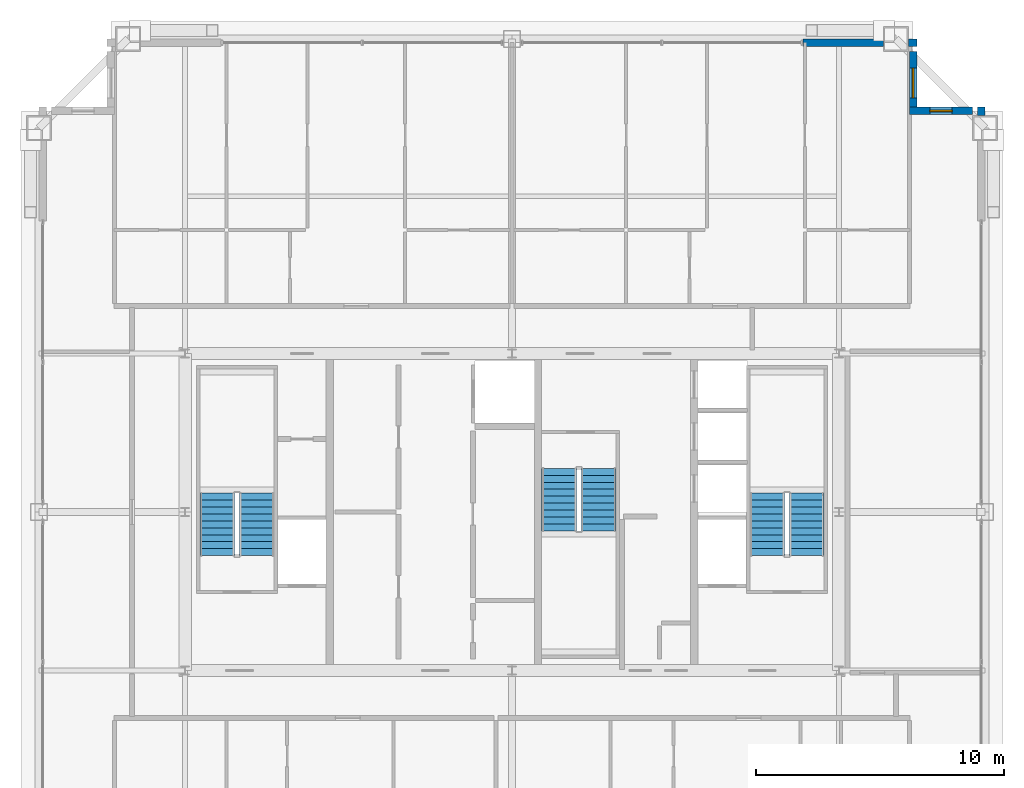
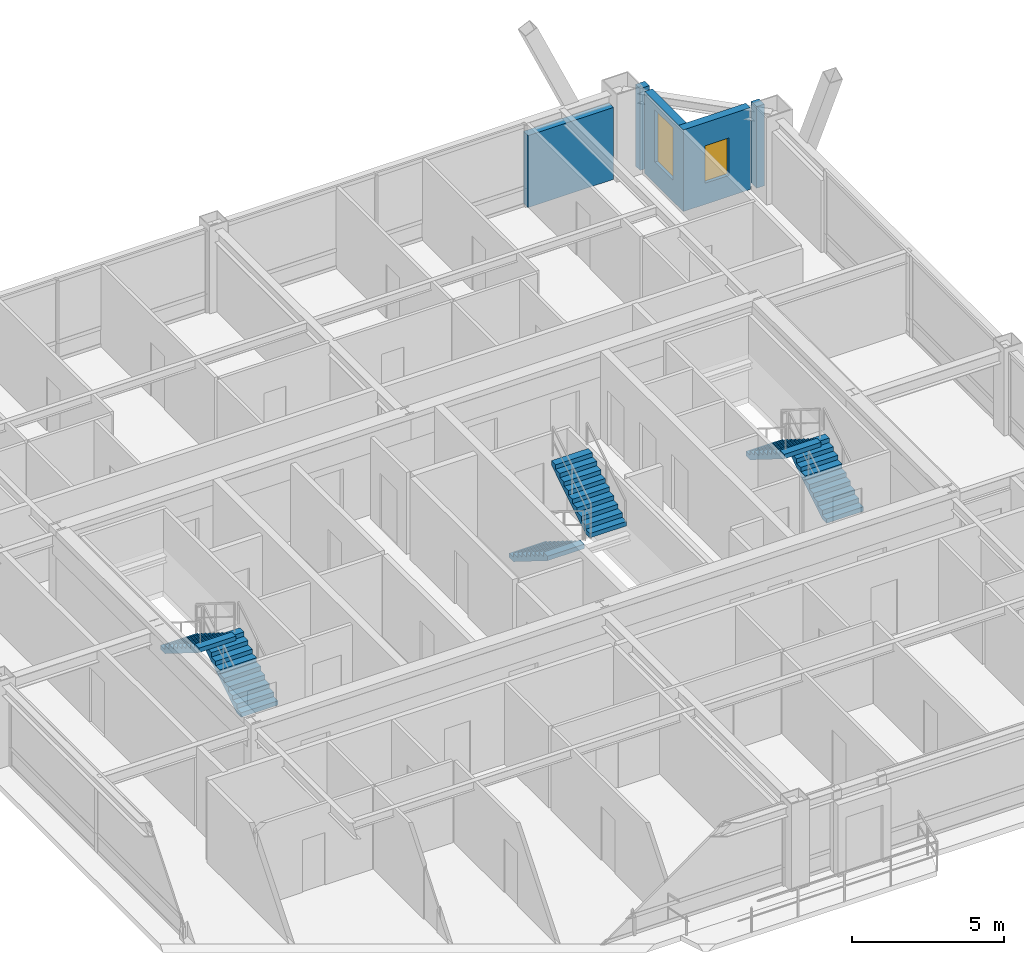
# One storey, part 34 of 35: 6 stair flights, 5 walls, 2 windows, 2 openings, 3 elements without a shape of their own.
"""IFC4 building model written with IfcOpenShell, lengths in metres."""

from ifc_helpers import new_model, si_unit, direction, frame, frame_2d, origin, place, context, subcontext, project, spatial, polyline, rectangle, outline, extrude, source, transform, mapped, material, layer, layer_set, type_object, element, fill, aggregate, save


model = new_model("IFC4")

# Units and contexts
model_context = context("Model", 3, precision=1e-05, world=origin(), true_north=direction((0.0, 1.0)))
body_context = subcontext(model_context, "Body", "Model", "MODEL_VIEW")
ifc_project = project(units=[si_unit("LENGTHUNIT", "METRE"), si_unit("AREAUNIT", "SQUARE_METRE"), si_unit("VOLUMEUNIT", "CUBIC_METRE"), si_unit("PLANEANGLEUNIT", "RADIAN"), si_unit("MASSUNIT", "GRAM", prefix="KILO"), si_unit("THERMODYNAMICTEMPERATUREUNIT", "KELVIN"), si_unit("POWERUNIT", "WATT")], contexts=[model_context])

# Site, building, storey
site_placement = place(None, origin())
site = spatial("IfcSite", under=ifc_project, at=site_placement, CompositionType="ELEMENT")
building_placement = place(site_placement, origin())
building = spatial("IfcBuilding", under=site, at=building_placement, Name="Yuzanri Waterfront Tower", CompositionType="ELEMENT")
storey_placement = place(building_placement, frame((0.0, 0.0, 299.60009765625)))
storey = spatial("IfcBuildingStorey", under=building, at=storey_placement, Name="L80", CompositionType="ELEMENT", Elevation=299.60009765625)

# Wall, opening, window
ifc_material_1 = material(Name="Honed Chongqing Dark Basalt Stone", Category="masonry")
ifc_layer = layer(ifc_material_1, 0.300048828125)
ifc_layer_set = layer_set([ifc_layer], Name="Honed Chongqing Dark Basalt Stone")
wall_type = type_object("IfcWallType", Name="Bronze Rainscreen Insulated Spandrel Portal Wall 300", PredefinedType="SOLIDWALL", material=ifc_layer_set)
wall_1_placement = place(storey_placement, frame((55.60009765625, 42.0, 0.0), z_axis=(0.0, 0.0, 1.0), x_axis=(-1.0, 0.0, 0.0)))
wall_1 = element("IfcWall", 1, at=wall_1_placement, inside=storey, type_object=wall_type, Name="L80 Notched Corner Masonry Wall NE-X", PredefinedType="SOLIDWALL", context=body_context, shape_type="SweptSolid", body=[
    extrude(rectangle(XDim=2.550048828125, YDim=0.300048828125, at=frame_2d((1.27490234375, 0.0))), origin(), (0.0, 0.0, 1.0), 3.27978515625),
])
opening_1_placement = place(wall_1_placement, frame((0.824951171875, 0.0, 0.85009765625)))
opening_1 = element("IfcOpeningElement", 2, at=opening_1_placement, cuts=wall_1, Name="Opening WN-05", PredefinedType="OPENING", context=body_context, shape_type="SweptSolid", body=[
    extrude(rectangle(XDim=0.89990234375, YDim=1.5, at=frame_2d((0.449951171875, 0.75))), frame((0.0, 0.1650390625, 0.0), z_axis=(0.0, -1.0, 0.0), x_axis=(1.0, 0.0, 0.0)), (0.0, 0.0, 1.0), 0.329833984375),
])
ifc_material_2 = material(Name="Double-Silver Low-E Insulated Glass", Category="glass")
window_type_1 = type_object("IfcWindowType", Name="Anodized Bronze Service and Stairwell Smoke-Vent Window 900x1500", PartitioningType="SINGLE_PANEL", PredefinedType="WINDOW", material=ifc_material_2)
shared_shape_1 = source(origin(), body_context, "Body", "SweptSolid", [
    extrude(rectangle(XDim=0.89990234375, YDim=1.5, at=frame_2d((0.449951171875, 0.75))), frame((0.0, 0.030029296875, 0.0), z_axis=(0.0, -1.0, 0.0), x_axis=(1.0, 0.0, 0.0)), (0.0, 0.0, 1.0), 0.06005859375),
])
window_1_placement = place(opening_1_placement, origin())
window_1 = element("IfcWindow", 3, at=window_1_placement, inside=storey, type_object=window_type_1, Name="L80 Notched Corner Window NE-X", OverallHeight=1.5, OverallWidth=0.89990234375, PartitioningType="SINGLE_PANEL", PredefinedType="WINDOW", context=body_context, shape_type="MappedRepresentation", body=[
    mapped(shared_shape_1, transform((0.0, 0.0, 0.0), scale=1.0)),
])
fill(opening_1, window_1)

wall_2_placement = place(storey_placement, frame((53.199951171875, 41.85009765625, 0.0), z_axis=(0.0, 0.0, 1.0), x_axis=(0.0, 1.0, 0.0)))
wall_2 = element("IfcWall", 4, at=wall_2_placement, inside=storey, type_object=wall_type, Name="L80 Notched Corner Masonry Wall NE-Y", PredefinedType="SOLIDWALL", context=body_context, shape_type="SweptSolid", body=[
    extrude(rectangle(XDim=2.5498046875, YDim=0.300048828125, at=frame_2d((1.27490234375, 0.0))), origin(), (0.0, 0.0, 1.0), 3.27978515625),
])
opening_2_placement = place(wall_2_placement, frame((0.675048828125, 0.0, 0.85009765625)))
opening_2 = element("IfcOpeningElement", 5, at=opening_2_placement, cuts=wall_2, Name="Opening WN-02", PredefinedType="OPENING", context=body_context, shape_type="SweptSolid", body=[
    extrude(rectangle(XDim=1.199951171875, YDim=2.10009765625, at=frame_2d((0.60009765625, 1.050048828125))), frame((0.0, 0.1650390625, 0.0), z_axis=(0.0, -1.0, 0.0), x_axis=(1.0, 0.0, 0.0)), (0.0, 0.0, 1.0), 0.329833984375),
])
ifc_material_3 = material(Name="Double-Silver Low-E Insulated Glass", Category="glass")
window_type_2 = type_object("IfcWindowType", Name="Anodized Bronze Notched Corner Deep-Set Slot Window 1200x2100", PartitioningType="SINGLE_PANEL", PredefinedType="WINDOW", material=ifc_material_3)
shared_shape_2 = source(origin(), body_context, "Body", "SweptSolid", [
    extrude(rectangle(XDim=1.199951171875, YDim=2.10009765625, at=frame_2d((0.60009765625, 1.050048828125))), frame((0.0, 0.030029296875, 0.0), z_axis=(0.0, -1.0, 0.0), x_axis=(1.0, 0.0, 0.0)), (0.0, 0.0, 1.0), 0.06005859375),
])
window_2_placement = place(opening_2_placement, origin())
window_2 = element("IfcWindow", 6, at=window_2_placement, inside=storey, type_object=window_type_2, Name="L80 Notched Corner Window NE-Y", OverallHeight=2.10009765625, OverallWidth=1.199951171875, PartitioningType="SINGLE_PANEL", PredefinedType="WINDOW", context=body_context, shape_type="MappedRepresentation", body=[
    mapped(shared_shape_2, transform((0.0, 0.0, 0.0), scale=1.0)),
])
fill(opening_2, window_2)

# Walls
shared_shape_3 = source(origin(), body_context, "Body", "SweptSolid", [
    extrude(rectangle(XDim=0.35009765625, YDim=0.300048828125, at=frame_2d((0.175048828125, 0.0))), origin(), (0.0, 0.0, 1.0), 3.27978515625),
])
wall_3_placement = place(storey_placement, frame((53.0, 44.75, 0.0), z_axis=(0.0, 0.0, 1.0), x_axis=(1.0, 0.0, 0.0)))
element("IfcWall", 7, at=wall_3_placement, inside=storey, type_object=wall_type, Name="L80 Corner Column Shoulder Return CNE", PredefinedType="SOLIDWALL", context=body_context, shape_type="MappedRepresentation", body=[
    mapped(shared_shape_3, transform((0.0, 0.0, 0.0), scale=1.0)),
])
shared_shape_4 = source(origin(), body_context, "Body", "SweptSolid", [
    extrude(rectangle(XDim=0.349853515625, YDim=0.300048828125, at=frame_2d((0.1748046875, 0.0))), origin(), (0.0, 0.0, 1.0), 3.27978515625),
])
wall_4_placement = place(storey_placement, frame((55.949951171875, 41.800048828125, 0.0), z_axis=(0.0, 0.0, 1.0), x_axis=(0.0, 1.0, 0.0)))
element("IfcWall", 8, at=wall_4_placement, inside=storey, type_object=wall_type, Name="L80 Corner Column Shoulder Return CEN", PredefinedType="SOLIDWALL", context=body_context, shape_type="MappedRepresentation", body=[
    mapped(shared_shape_4, transform((0.0, 0.0, 0.0), scale=1.0)),
])
shared_shape_5 = source(origin(), body_context, "Body", "SweptSolid", [
    extrude(rectangle(XDim=3.25, YDim=0.300048828125, at=frame_2d((1.625, 0.0))), origin(), (0.0, 0.0, 1.0), 2.885009765625),
])
wall_5_placement = place(storey_placement, frame((48.75, 44.75, 0.0), z_axis=(0.0, 0.0, 1.0), x_axis=(1.0, 0.0, 0.0)))
element("IfcWall", 9, at=wall_5_placement, inside=storey, type_object=wall_type, Name="L80 N Right Braced Masonry Shoulder", PredefinedType="SOLIDWALL", context=body_context, shape_type="MappedRepresentation", body=[
    mapped(shared_shape_5, transform((0.0, 0.0, 0.0), scale=1.0)),
])

# Stair, stair flights
ifc_material_4 = material(Name="Concrete C40", Category="concrete")
stair_type = type_object("IfcStairType", Name="Concrete C40 Core Dogleg Exit Stair", PredefinedType="HALF_TURN_STAIR", material=ifc_material_4)
stair_1_placement = place(storey_placement, origin())
stair_1 = element("IfcStair", 10, at=stair_1_placement, inside=storey, type_object=stair_type, Name="L80 Smoke-Proof Core Stair ST-01", PredefinedType="HALF_TURN_STAIR")
ifc_material_5 = material(Name="Concrete C40", Category="concrete")
stair_flight_type = type_object("IfcStairFlightType", Name="Concrete C40 Precast Stair Flight 1380", PredefinedType="STRAIGHT", material=ifc_material_5)
shared_shape_6 = source(origin(), body_context, "Body", "SweptSolid", [
    extrude(outline(polyline([(0.0, 0.0), (0.0, 0.175048828125), (0.280029296875, 0.175048828125), (0.280029296875, 0.35009765625), (0.56005859375, 0.35009765625), (0.56005859375, 0.52490234375), (0.840087890625, 0.52490234375), (0.840087890625, 0.699951171875), (1.1201171875, 0.699951171875), (1.1201171875, 0.875), (1.39990234375, 0.875), (1.39990234375, 1.050048828125), (1.679931640625, 1.050048828125), (1.679931640625, 1.22509765625), (1.9599609375, 1.22509765625), (1.9599609375, 1.39990234375), (2.239990234375, 1.39990234375), (2.239990234375, 1.574951171875), (2.52001953125, 1.574951171875), (2.52001953125, 1.75), (2.52001953125, 1.398193359375), (0.28271484375, 0.0), (0.0, 0.0)])), frame((0.0, 0.699951171875, 0.0), z_axis=(0.0, -1.0, 0.0), x_axis=(1.0, 0.0, 0.0)), (0.0, 0.0, 1.0), 1.39990234375),
])
stair_flight_1_placement = place(storey_placement, frame((26.699951171875, 24.0400390625, 0.0), z_axis=(0.0, 0.0, 1.0), x_axis=(0.0, 1.0, 0.0)))
stair_flight_1 = element("IfcStairFlight", 11, at=stair_flight_1_placement, type_object=stair_flight_type, Name="ST-01 flight 1", NumberOfRisers=10, NumberOfTreads=9, PredefinedType="STRAIGHT", RiserHeight=0.175, TreadLength=0.28, context=body_context, shape_type="MappedRepresentation", body=[
    mapped(shared_shape_6, transform((0.0, 0.0, 0.0), scale=1.0)),
])
stair_flight_2_placement = place(storey_placement, frame((25.10009765625, 26.56005859375, 1.75), z_axis=(0.0, 0.0, 1.0), x_axis=(0.0, -1.0, 0.0)))
stair_flight_2 = element("IfcStairFlight", 12, at=stair_flight_2_placement, type_object=stair_flight_type, Name="ST-01 flight 2", NumberOfRisers=10, NumberOfTreads=9, PredefinedType="STRAIGHT", RiserHeight=0.175, TreadLength=0.28, context=body_context, shape_type="MappedRepresentation", body=[
    mapped(shared_shape_6, transform((0.0, 0.0, 0.0), scale=1.0)),
])
aggregate(stair_1, [stair_flight_1, stair_flight_2])

stair_2_placement = place(storey_placement, origin())
stair_2 = element("IfcStair", 13, at=stair_2_placement, inside=storey, type_object=stair_type, Name="L80 Smoke-Proof Core Stair ST-02", PredefinedType="HALF_TURN_STAIR")
stair_flight_3_placement = place(storey_placement, frame((48.89990234375, 24.0400390625, 0.0), z_axis=(0.0, 0.0, 1.0), x_axis=(0.0, 1.0, 0.0)))
stair_flight_3 = element("IfcStairFlight", 14, at=stair_flight_3_placement, type_object=stair_flight_type, Name="ST-02 flight 1", NumberOfRisers=10, NumberOfTreads=9, PredefinedType="STRAIGHT", RiserHeight=0.175, TreadLength=0.28, context=body_context, shape_type="MappedRepresentation", body=[
    mapped(shared_shape_6, transform((0.0, 0.0, 0.0), scale=1.0)),
])
stair_flight_4_placement = place(storey_placement, frame((47.300048828125, 26.56005859375, 1.75), z_axis=(0.0, 0.0, 1.0), x_axis=(0.0, -1.0, 0.0)))
stair_flight_4 = element("IfcStairFlight", 15, at=stair_flight_4_placement, type_object=stair_flight_type, Name="ST-02 flight 2", NumberOfRisers=10, NumberOfTreads=9, PredefinedType="STRAIGHT", RiserHeight=0.175, TreadLength=0.28, context=body_context, shape_type="MappedRepresentation", body=[
    mapped(shared_shape_6, transform((0.0, 0.0, 0.0), scale=1.0)),
])
aggregate(stair_2, [stair_flight_3, stair_flight_4])

stair_3_placement = place(storey_placement, origin())
stair_3 = element("IfcStair", 16, at=stair_3_placement, inside=storey, type_object=stair_type, Name="L80 Smoke-Proof Core Stair ST-03", PredefinedType="HALF_TURN_STAIR")
stair_flight_5_placement = place(storey_placement, frame((38.89990234375, 27.56005859375, 0.0), z_axis=(0.0, 0.0, 1.0), x_axis=(0.0, -1.0, 0.0)))
stair_flight_5 = element("IfcStairFlight", 17, at=stair_flight_5_placement, type_object=stair_flight_type, Name="ST-03 flight 1", NumberOfRisers=10, NumberOfTreads=9, PredefinedType="STRAIGHT", RiserHeight=0.175, TreadLength=0.28, context=body_context, shape_type="MappedRepresentation", body=[
    mapped(shared_shape_6, transform((0.0, 0.0, 0.0), scale=1.0)),
])
stair_flight_6_placement = place(storey_placement, frame((40.5, 25.0400390625, 1.75), z_axis=(0.0, 0.0, 1.0), x_axis=(0.0, 1.0, 0.0)))
stair_flight_6 = element("IfcStairFlight", 18, at=stair_flight_6_placement, type_object=stair_flight_type, Name="ST-03 flight 2", NumberOfRisers=10, NumberOfTreads=9, PredefinedType="STRAIGHT", RiserHeight=0.175, TreadLength=0.28, context=body_context, shape_type="MappedRepresentation", body=[
    mapped(shared_shape_6, transform((0.0, 0.0, 0.0), scale=1.0)),
])
aggregate(stair_3, [stair_flight_5, stair_flight_6])

save(model, "model.ifc")
